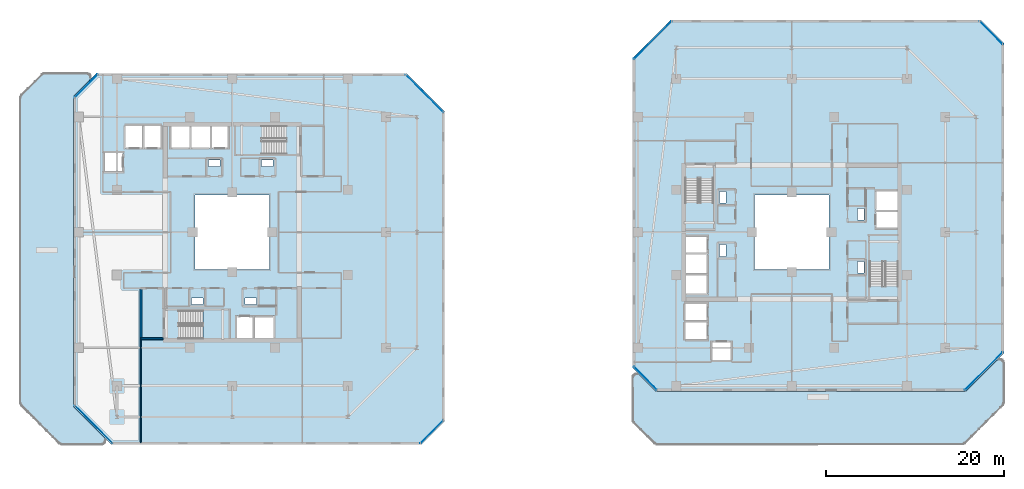
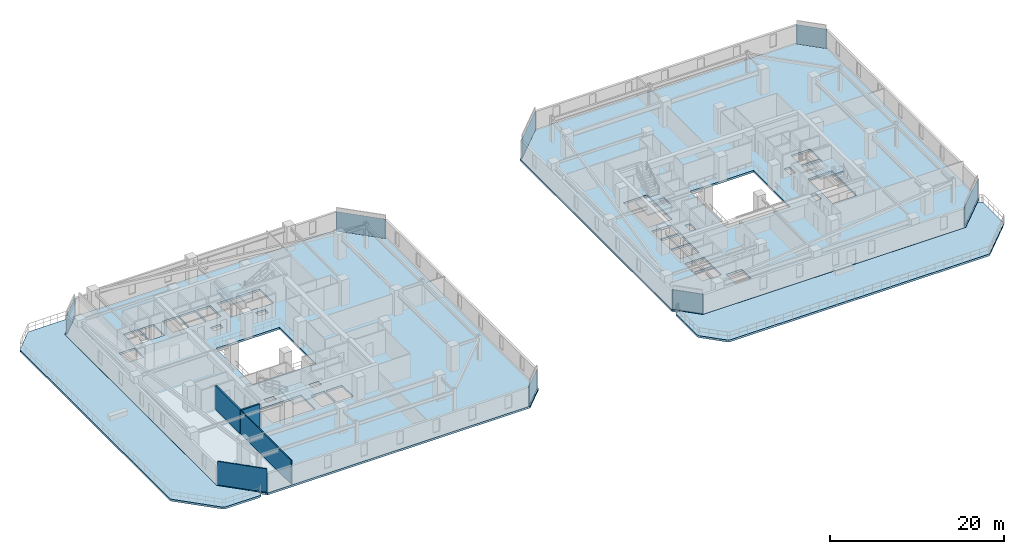
# One storey, part 17 of 30: 8 plates, 8 slabs, 4 walls, 12 elements without a shape of their own.
"""IFC4 building model written with IfcOpenShell, lengths in metres."""

from ifc_helpers import new_model, si_unit, direction, frame, frame_2d, origin, origin_2d, place, context, subcontext, project, spatial, polyline, rectangle, outline, extrude, material, layer, layer_set, type_object, element, aggregate, save


model = new_model("IFC4")

# Units and contexts
model_context = context("Model", 3, precision=1e-05, world=origin(), true_north=direction((0.0, 1.0)))
body_context = subcontext(model_context, "Body", "Model", "MODEL_VIEW")
ifc_project = project(units=[si_unit("LENGTHUNIT", "METRE"), si_unit("AREAUNIT", "SQUARE_METRE"), si_unit("VOLUMEUNIT", "CUBIC_METRE"), si_unit("PLANEANGLEUNIT", "RADIAN"), si_unit("MASSUNIT", "GRAM", prefix="KILO")], contexts=[model_context])

# Site, building, storey
site_placement = place(None, origin())
site = spatial("IfcSite", under=ifc_project, at=site_placement, CompositionType="ELEMENT")
building_placement = place(site_placement, origin())
building = spatial("IfcBuilding", under=site, at=building_placement, Name="Thornwick Lancets Civic Towers", CompositionType="ELEMENT")
storey_placement = place(building_placement, frame((0.0, 0.0, 149.10009765625)))
storey = spatial("IfcBuildingStorey", under=building, at=storey_placement, Name="L39", CompositionType="ELEMENT", Elevation=149.10009765625)

# Curtain wall, plate
ifc_material_1 = material(Name="Mid-zone chamfered-corner unitised glass curtain wall", Category="glass")
curtain_wall_type = type_object("IfcCurtainWallType", Name="CW_SYS_04", PredefinedType="NOTDEFINED", material=ifc_material_1)
curtain_wall_1_placement = place(storey_placement, origin())
curtain_wall_1 = element("IfcCurtainWall", 1, at=curtain_wall_1_placement, inside=storey, type_object=curtain_wall_type, Name="L39 Curtain Wall CW-L39-A-E1", PredefinedType="NOTDEFINED")
ifc_material_2 = material(Name="Low-e double glazing clear glass", Category="glass")
ifc_layer_1 = layer(ifc_material_2, 0.035888671875, Name="Low-e double glazing clear glass")
ifc_layer_set_1 = layer_set([ifc_layer_1], Name="Low-e double glazing clear glass")
plate_type = type_object("IfcPlateType", Name="CW_PNL_GLASS", PredefinedType="CURTAIN_PANEL", material=ifc_layer_set_1)
plate_1_placement = place(storey_placement, frame((47.972900390625, 4.527099609375, 0.0), z_axis=(0.0, 0.0, 1.0), x_axis=(0.707106781187, 0.707106781187, 0.0)))
plate_1 = element("IfcPlate", 2, at=plate_1_placement, type_object=plate_type, Name="CW-L39-A-E1 Panel 0", PredefinedType="CURTAIN_PANEL", context=body_context, shape_type="SweptSolid", body=[
    extrude(rectangle(XDim=3.649169921875, YDim=0.035888671875, at=origin_2d()), origin(), (0.0, 0.0, 1.0), 2.699951171875),
])
aggregate(curtain_wall_1, [plate_1])

curtain_wall_2_placement = place(storey_placement, origin())
curtain_wall_2 = element("IfcCurtainWall", 3, at=curtain_wall_2_placement, inside=storey, type_object=curtain_wall_type, Name="L39 Curtain Wall CW-L39-A-E3", PredefinedType="NOTDEFINED")
plate_2_placement = place(storey_placement, frame((47.142578125, 42.642578125, 0.0), z_axis=(0.0, 0.0, 1.0), x_axis=(-0.707106781187, 0.707106781187, 0.0)))
plate_2 = element("IfcPlate", 4, at=plate_2_placement, type_object=plate_type, Name="CW-L39-A-E3 Panel 0", PredefinedType="CURTAIN_PANEL", context=body_context, shape_type="SweptSolid", body=[
    extrude(rectangle(XDim=5.98291015625, YDim=0.035888671875, at=origin_2d()), origin(), (0.0, 0.0, 1.0), 2.699951171875),
])
aggregate(curtain_wall_2, [plate_2])

curtain_wall_3_placement = place(storey_placement, origin())
curtain_wall_3 = element("IfcCurtainWall", 5, at=curtain_wall_3_placement, inside=storey, type_object=curtain_wall_type, Name="L39 Curtain Wall CW-L39-A-E5", PredefinedType="NOTDEFINED")
plate_3_placement = place(storey_placement, frame((9.027099609375, 43.472900390625, 0.0), z_axis=(0.0, 0.0, 1.0), x_axis=(-0.707106781187, -0.707106781187, 0.0)))
plate_3 = element("IfcPlate", 6, at=plate_3_placement, type_object=plate_type, Name="CW-L39-A-E5 Panel 0", PredefinedType="CURTAIN_PANEL", context=body_context, shape_type="SweptSolid", body=[
    extrude(rectangle(XDim=3.649169921875, YDim=0.035888671875, at=origin_2d()), origin(), (0.0, 0.0, 1.0), 2.699951171875),
])
aggregate(curtain_wall_3, [plate_3])

curtain_wall_4_placement = place(storey_placement, origin())
curtain_wall_4 = element("IfcCurtainWall", 7, at=curtain_wall_4_placement, inside=storey, type_object=curtain_wall_type, Name="L39 Curtain Wall CW-L39-A-E7", PredefinedType="NOTDEFINED")
plate_4_placement = place(storey_placement, frame((9.857421875, 5.357421875, 0.0), z_axis=(0.0, 0.0, 1.0), x_axis=(0.707106781187, -0.707106781187, 0.0)))
plate_4 = element("IfcPlate", 8, at=plate_4_placement, type_object=plate_type, Name="CW-L39-A-E7 Panel 0", PredefinedType="CURTAIN_PANEL", context=body_context, shape_type="SweptSolid", body=[
    extrude(rectangle(XDim=5.98291015625, YDim=0.035888671875, at=origin_2d()), origin(), (0.0, 0.0, 1.0), 2.699951171875),
])
aggregate(curtain_wall_4, [plate_4])

curtain_wall_5_placement = place(storey_placement, origin())
curtain_wall_5 = element("IfcCurtainWall", 9, at=curtain_wall_5_placement, inside=storey, type_object=curtain_wall_type, Name="L39 Curtain Wall CW-L39-B-E1", PredefinedType="NOTDEFINED")
plate_5_placement = place(storey_placement, frame((110.142578125, 11.357421875, 0.0), z_axis=(0.0, 0.0, 1.0), x_axis=(0.707106781187, 0.707106781187, 0.0)))
plate_5 = element("IfcPlate", 10, at=plate_5_placement, type_object=plate_type, Name="CW-L39-B-E1 Panel 0", PredefinedType="CURTAIN_PANEL", context=body_context, shape_type="SweptSolid", body=[
    extrude(rectangle(XDim=5.98291015625, YDim=0.035888671875, at=origin_2d()), origin(), (0.0, 0.0, 1.0), 2.699951171875),
])
aggregate(curtain_wall_5, [plate_5])

curtain_wall_6_placement = place(storey_placement, origin())
curtain_wall_6 = element("IfcCurtainWall", 11, at=curtain_wall_6_placement, inside=storey, type_object=curtain_wall_type, Name="L39 Curtain Wall CW-L39-B-E3", PredefinedType="NOTDEFINED")
plate_6_placement = place(storey_placement, frame((110.972900390625, 49.472900390625, 0.0), z_axis=(0.0, 0.0, 1.0), x_axis=(-0.707106781187, 0.707106781187, 0.0)))
plate_6 = element("IfcPlate", 12, at=plate_6_placement, type_object=plate_type, Name="CW-L39-B-E3 Panel 0", PredefinedType="CURTAIN_PANEL", context=body_context, shape_type="SweptSolid", body=[
    extrude(rectangle(XDim=3.649169921875, YDim=0.035888671875, at=origin_2d()), origin(), (0.0, 0.0, 1.0), 2.699951171875),
])
aggregate(curtain_wall_6, [plate_6])

curtain_wall_7_placement = place(storey_placement, origin())
curtain_wall_7 = element("IfcCurtainWall", 13, at=curtain_wall_7_placement, inside=storey, type_object=curtain_wall_type, Name="L39 Curtain Wall CW-L39-B-E5", PredefinedType="NOTDEFINED")
plate_7_placement = place(storey_placement, frame((72.857421875, 48.642578125, 0.0), z_axis=(0.0, 0.0, 1.0), x_axis=(-0.707106781187, -0.707106781187, 0.0)))
plate_7 = element("IfcPlate", 14, at=plate_7_placement, type_object=plate_type, Name="CW-L39-B-E5 Panel 0", PredefinedType="CURTAIN_PANEL", context=body_context, shape_type="SweptSolid", body=[
    extrude(rectangle(XDim=5.98291015625, YDim=0.035888671875, at=origin_2d()), origin(), (0.0, 0.0, 1.0), 2.699951171875),
])
aggregate(curtain_wall_7, [plate_7])

curtain_wall_8_placement = place(storey_placement, origin())
curtain_wall_8 = element("IfcCurtainWall", 15, at=curtain_wall_8_placement, inside=storey, type_object=curtain_wall_type, Name="L39 Curtain Wall CW-L39-B-E7", PredefinedType="NOTDEFINED")
plate_8_placement = place(storey_placement, frame((72.027099609375, 10.527099609375, 0.0), z_axis=(0.0, 0.0, 1.0), x_axis=(0.707106781187, -0.707106781187, 0.0)))
plate_8 = element("IfcPlate", 16, at=plate_8_placement, type_object=plate_type, Name="CW-L39-B-E7 Panel 0", PredefinedType="CURTAIN_PANEL", context=body_context, shape_type="SweptSolid", body=[
    extrude(rectangle(XDim=3.649169921875, YDim=0.035888671875, at=origin_2d()), origin(), (0.0, 0.0, 1.0), 2.699951171875),
])
aggregate(curtain_wall_8, [plate_8])

# Stair, slab
ifc_material_3 = material(Name="Concrete C40/50", Category="concrete")
stair_type = type_object("IfcStairType", Name="STAIR_DL_3600", PredefinedType="HALF_TURN_STAIR", material=ifc_material_3)
stair_1_placement = place(storey_placement, origin())
stair_1 = element("IfcStair", 17, at=stair_1_placement, inside=storey, type_object=stair_type, Name="L39 Tower A South Exit Stair ST-A1", PredefinedType="HALF_TURN_STAIR")
ifc_layer_2 = layer(ifc_material_3, 0.25, Name="Concrete C40/50")
ifc_layer_set_2 = layer_set([ifc_layer_2], Name="Concrete C40/50")
slab_type_1 = type_object("IfcSlabType", Name="SLAB_LANDING_200", PredefinedType="LANDING", material=ifc_layer_set_2)
slab_1_placement = place(storey_placement, frame((0.0, 0.0, 1.602783203125)))
slab_1 = element("IfcSlab", 18, at=slab_1_placement, type_object=slab_type_1, Name="ST-A1 landing 1", PredefinedType="LANDING", context=body_context, shape_type="SweptSolid", body=[
    extrude(outline(polyline([(22.169921875, 14.93994140625), (25.14990234375, 14.93994140625), (25.14990234375, 18.260009765625), (22.169921875, 18.260009765625), (22.169921875, 14.93994140625)])), origin(), (0.0, 0.0, 1.0), 0.2001953125),
])
aggregate(stair_1, [slab_1])

stair_2_placement = place(storey_placement, origin())
stair_2 = element("IfcStair", 19, at=stair_2_placement, inside=storey, type_object=stair_type, Name="L39 Tower A North Exit Stair ST-A2", PredefinedType="HALF_TURN_STAIR")
slab_2_placement = place(storey_placement, frame((0.0, 0.0, 1.602783203125)))
slab_2 = element("IfcSlab", 20, at=slab_2_placement, type_object=slab_type_1, Name="ST-A2 landing 1", PredefinedType="LANDING", context=body_context, shape_type="SweptSolid", body=[
    extrude(outline(polyline([(28.830078125, 39.06005859375), (25.85009765625, 39.06005859375), (25.85009765625, 35.739990234375), (28.830078125, 35.739990234375), (28.830078125, 39.06005859375)])), origin(), (0.0, 0.0, 1.0), 0.2001953125),
])
aggregate(stair_2, [slab_2])

stair_3_placement = place(storey_placement, origin())
stair_3 = element("IfcStair", 21, at=stair_3_placement, inside=storey, type_object=stair_type, Name="L39 Tower B East Exit Stair ST-B1", PredefinedType="HALF_TURN_STAIR")
slab_3_placement = place(storey_placement, frame((0.0, 0.0, 1.602783203125)))
slab_3 = element("IfcSlab", 22, at=slab_3_placement, type_object=slab_type_1, Name="ST-B1 landing 1", PredefinedType="LANDING", context=body_context, shape_type="SweptSolid", body=[
    extrude(outline(polyline([(100.56005859375, 23.669921875), (100.56005859375, 26.64990234375), (97.239990234375, 26.64990234375), (97.239990234375, 23.669921875), (100.56005859375, 23.669921875)])), origin(), (0.0, 0.0, 1.0), 0.2001953125),
])
aggregate(stair_3, [slab_3])

stair_4_placement = place(storey_placement, origin())
stair_4 = element("IfcStair", 23, at=stair_4_placement, inside=storey, type_object=stair_type, Name="L39 Tower B West Exit Stair ST-B2", PredefinedType="HALF_TURN_STAIR")
slab_4_placement = place(storey_placement, frame((0.0, 0.0, 1.602783203125)))
slab_4 = element("IfcSlab", 24, at=slab_4_placement, type_object=slab_type_1, Name="ST-B2 landing 1", PredefinedType="LANDING", context=body_context, shape_type="SweptSolid", body=[
    extrude(outline(polyline([(76.43994140625, 30.330078125), (76.43994140625, 27.35009765625), (79.760009765625, 27.35009765625), (79.760009765625, 30.330078125), (76.43994140625, 30.330078125)])), origin(), (0.0, 0.0, 1.0), 0.2001953125),
])
aggregate(stair_4, [slab_4])

# Slabs
ifc_material_4 = material(Name="Post-tensioned concrete C40/50", Category="concrete")
ifc_layer_3 = layer(ifc_material_4, 0.280029296875, Name="Post-tensioned concrete C40/50")
ifc_layer_set_3 = layer_set([ifc_layer_3], Name="Post-tensioned concrete C40/50")
slab_type_2 = type_object("IfcSlabType", Name="SLAB_PT_280", PredefinedType="FLOOR", material=ifc_layer_set_3)
slab_5_placement = place(storey_placement, frame((0.0, 0.0, -0.280029296875)))
element("IfcSlab", 25, at=slab_5_placement, inside=storey, type_object=slab_type_2, Name="L39 Tower A Floor Slab", PredefinedType="FLOOR", context=body_context, shape_type="SweptSolid", body=[
    extrude(outline(polyline([(11.862060546875, 3.10009765625), (46.800048828125, 3.10009765625), (49.39990234375, 5.699951171875), (49.39990234375, 40.637939453125), (45.137939453125, 44.89990234375), (10.199951171875, 44.89990234375), (7.60009765625, 42.300048828125), (7.60009765625, 7.362060546875), (11.862060546875, 3.10009765625)]), holes=[polyline([(21.300048828125, 22.800048828125), (29.699951171875, 22.800048828125), (29.699951171875, 31.199951171875), (21.300048828125, 31.199951171875), (21.300048828125, 22.800048828125)]), polyline([(19.429931640625, 15.0), (25.10009765625, 15.0), (25.10009765625, 18.199951171875), (19.429931640625, 18.199951171875), (19.429931640625, 15.0)]), polyline([(31.570068359375, 39.0), (25.89990234375, 39.0), (25.89990234375, 35.800048828125), (31.570068359375, 35.800048828125), (31.570068359375, 39.0)]), polyline([(26.0, 15.0), (27.800048828125, 15.0), (27.800048828125, 17.550048828125), (26.0, 17.550048828125), (26.0, 15.0)]), polyline([(28.0, 15.0), (30.14990234375, 15.0), (30.14990234375, 17.550048828125), (28.0, 17.550048828125), (28.0, 15.0)]), polyline([(23.199951171875, 36.449951171875), (25.0, 36.449951171875), (25.0, 39.0), (23.199951171875, 39.0), (23.199951171875, 36.449951171875)]), polyline([(20.85009765625, 36.449951171875), (23.0, 36.449951171875), (23.0, 39.0), (20.85009765625, 39.0), (20.85009765625, 36.449951171875)]), polyline([(18.60009765625, 36.449951171875), (20.699951171875, 36.449951171875), (20.699951171875, 39.0), (18.60009765625, 39.0), (18.60009765625, 36.449951171875)]), polyline([(15.550048828125, 36.449951171875), (17.449951171875, 36.449951171875), (17.449951171875, 39.0), (15.550048828125, 39.0), (15.550048828125, 36.449951171875)]), polyline([(13.449951171875, 36.449951171875), (15.39990234375, 36.449951171875), (15.39990234375, 39.0), (13.449951171875, 39.0), (13.449951171875, 36.449951171875)]), polyline([(11.10009765625, 33.85009765625), (13.199951171875, 33.85009765625), (13.199951171875, 35.949951171875), (11.10009765625, 35.949951171875), (11.10009765625, 33.85009765625)]), polyline([(26.89990234375, 18.85009765625), (28.199951171875, 18.85009765625), (28.199951171875, 19.580078125), (26.89990234375, 19.580078125), (26.89990234375, 18.85009765625)]), polyline([(20.89990234375, 18.85009765625), (22.199951171875, 18.85009765625), (22.199951171875, 19.580078125), (20.89990234375, 19.580078125), (20.89990234375, 18.85009765625)]), polyline([(22.800048828125, 34.419921875), (24.10009765625, 34.419921875), (24.10009765625, 35.14990234375), (22.800048828125, 35.14990234375), (22.800048828125, 34.419921875)]), polyline([(28.800048828125, 34.419921875), (30.10009765625, 34.419921875), (30.10009765625, 35.14990234375), (28.800048828125, 35.14990234375), (28.800048828125, 34.419921875)])]), origin(), (0.0, 0.0, 1.0), 0.280029296875),
])
slab_6_placement = place(storey_placement, frame((0.0, 0.0, -0.280029296875)))
element("IfcSlab", 26, at=slab_6_placement, inside=storey, type_object=slab_type_2, Name="L39 Tower A Cantilevered Block Sky-Garden Terrace 1", PredefinedType="FLOOR", context=body_context, shape_type="SweptSolid", body=[
    extrude(outline(polyline([(6.2802734375, 3.102294921875), (6.236572265625, 3.108642578125), (6.19384765625, 3.119384765625), (6.152099609375, 3.13427734375), (6.1123046875, 3.153076171875), (6.074462890625, 3.17578125), (6.038818359375, 3.2021484375), (6.006103515625, 3.231689453125), (1.731689453125, 7.506103515625), (1.7021484375, 7.538818359375), (1.67578125, 7.574462890625), (1.653076171875, 7.6123046875), (1.63427734375, 7.652099609375), (1.619384765625, 7.69384765625), (1.608642578125, 7.736572265625), (1.602294921875, 7.7802734375), (1.60009765625, 7.824462890625), (1.60009765625, 42.113525390625), (1.602294921875, 42.15771484375), (1.608642578125, 42.201416015625), (1.619384765625, 42.244140625), (1.63427734375, 42.285888671875), (1.653076171875, 42.32568359375), (1.67578125, 42.363525390625), (1.7021484375, 42.399169921875), (1.731689453125, 42.431884765625), (4.068115234375, 44.768310546875), (4.100830078125, 44.7978515625), (4.136474609375, 44.82421875), (4.17431640625, 44.846923828125), (4.214111328125, 44.86572265625), (4.255859375, 44.880615234375), (4.298583984375, 44.891357421875), (4.34228515625, 44.897705078125), (4.386474609375, 44.89990234375), (9.085205078125, 44.89990234375), (9.12939453125, 44.897705078125), (9.173095703125, 44.891357421875), (9.2158203125, 44.880615234375), (9.257568359375, 44.86572265625), (9.29736328125, 44.846923828125), (9.335205078125, 44.82421875), (9.370849609375, 44.7978515625), (9.403564453125, 44.768310546875), (9.43310546875, 44.735595703125), (9.45947265625, 44.699951171875), (9.482177734375, 44.662109375), (9.501220703125, 44.622314453125), (9.515869140625, 44.58056640625), (9.526611328125, 44.537841796875), (9.533203125, 44.494140625), (9.535400390625, 44.449951171875), (9.533203125, 44.406005859375), (9.526611328125, 44.3623046875), (9.515869140625, 44.3193359375), (9.501220703125, 44.27783203125), (9.482177734375, 44.23779296875), (9.45947265625, 44.199951171875), (9.43310546875, 44.16455078125), (9.403564453125, 44.1318359375), (9.10400390625, 43.832275390625), (7.58984375, 42.318115234375), (7.5859375, 42.314208984375), (7.58447265625, 42.312744140625), (7.58349609375, 42.31103515625), (7.58251953125, 42.309326171875), (7.58154296875, 42.3076171875), (7.580810546875, 42.305908203125), (7.580322265625, 42.303955078125), (7.580078125, 42.302001953125), (7.580078125, 42.300048828125), (7.580078125, 42.2939453125), (7.580078125, 7.367431640625), (7.580078125, 7.362060546875), (7.580078125, 7.360107421875), (7.580322265625, 7.358154296875), (7.580810546875, 7.356201171875), (7.58154296875, 7.354248046875), (7.58251953125, 7.3525390625), (7.58349609375, 7.350830078125), (7.58447265625, 7.349365234375), (7.5859375, 7.347900390625), (7.590087890625, 7.343505859375), (11.0654296875, 3.8681640625), (11.09521484375, 3.83544921875), (11.12158203125, 3.800048828125), (11.144287109375, 3.76220703125), (11.1630859375, 3.72216796875), (11.177978515625, 3.6806640625), (11.188720703125, 3.6376953125), (11.1953125, 3.593994140625), (11.197265625, 3.550048828125), (11.1953125, 3.505859375), (11.188720703125, 3.462158203125), (11.177978515625, 3.41943359375), (11.1630859375, 3.377685546875), (11.144287109375, 3.337890625), (11.12158203125, 3.300048828125), (11.09521484375, 3.264404296875), (11.0654296875, 3.231689453125), (11.03271484375, 3.2021484375), (10.997314453125, 3.17578125), (10.95947265625, 3.153076171875), (10.91943359375, 3.13427734375), (10.8779296875, 3.119384765625), (10.835205078125, 3.108642578125), (10.79150390625, 3.102294921875), (10.747314453125, 3.10009765625), (6.324462890625, 3.10009765625), (6.2802734375, 3.102294921875)])), origin(), (0.0, 0.0, 1.0), 0.280029296875),
])
slab_7_placement = place(storey_placement, frame((0.0, 0.0, -0.280029296875)))
element("IfcSlab", 27, at=slab_7_placement, inside=storey, type_object=slab_type_2, Name="L39 Tower B Floor Slab", PredefinedType="FLOOR", context=body_context, shape_type="SweptSolid", body=[
    extrude(outline(polyline([(73.199951171875, 9.10009765625), (108.137939453125, 9.10009765625), (112.39990234375, 13.362060546875), (112.39990234375, 48.300048828125), (109.800048828125, 50.89990234375), (74.862060546875, 50.89990234375), (70.60009765625, 46.637939453125), (70.60009765625, 11.699951171875), (73.199951171875, 9.10009765625)]), holes=[polyline([(84.300048828125, 22.800048828125), (92.699951171875, 22.800048828125), (92.699951171875, 31.199951171875), (84.300048828125, 31.199951171875), (84.300048828125, 22.800048828125)]), polyline([(100.5, 20.929931640625), (100.5, 26.60009765625), (97.300048828125, 26.60009765625), (97.300048828125, 20.929931640625), (100.5, 20.929931640625)]), polyline([(76.5, 33.070068359375), (76.5, 27.39990234375), (79.699951171875, 27.39990234375), (79.699951171875, 33.070068359375), (76.5, 33.070068359375)]), polyline([(97.949951171875, 27.5), (100.5, 27.5), (100.5, 29.300048828125), (97.949951171875, 29.300048828125), (97.949951171875, 27.5)]), polyline([(97.949951171875, 29.5), (100.5, 29.5), (100.5, 31.64990234375), (97.949951171875, 31.64990234375), (97.949951171875, 29.5)]), polyline([(76.5, 24.699951171875), (79.050048828125, 24.699951171875), (79.050048828125, 26.5), (76.5, 26.5), (76.5, 24.699951171875)]), polyline([(76.5, 22.35009765625), (79.050048828125, 22.35009765625), (79.050048828125, 24.5), (76.5, 24.5), (76.5, 22.35009765625)]), polyline([(76.5, 20.10009765625), (79.050048828125, 20.10009765625), (79.050048828125, 22.199951171875), (76.5, 22.199951171875), (76.5, 20.10009765625)]), polyline([(76.5, 17.050048828125), (79.050048828125, 17.050048828125), (79.050048828125, 18.949951171875), (76.5, 18.949951171875), (76.5, 17.050048828125)]), polyline([(76.5, 14.949951171875), (79.050048828125, 14.949951171875), (79.050048828125, 16.89990234375), (76.5, 16.89990234375), (76.5, 14.949951171875)]), polyline([(79.550048828125, 12.60009765625), (81.64990234375, 12.60009765625), (81.64990234375, 14.699951171875), (79.550048828125, 14.699951171875), (79.550048828125, 12.60009765625)]), polyline([(95.919921875, 28.39990234375), (96.64990234375, 28.39990234375), (96.64990234375, 29.699951171875), (95.919921875, 29.699951171875), (95.919921875, 28.39990234375)]), polyline([(95.919921875, 22.39990234375), (96.64990234375, 22.39990234375), (96.64990234375, 23.699951171875), (95.919921875, 23.699951171875), (95.919921875, 22.39990234375)]), polyline([(80.35009765625, 24.300048828125), (81.080078125, 24.300048828125), (81.080078125, 25.60009765625), (80.35009765625, 25.60009765625), (80.35009765625, 24.300048828125)]), polyline([(80.35009765625, 30.300048828125), (81.080078125, 30.300048828125), (81.080078125, 31.60009765625), (80.35009765625, 31.60009765625), (80.35009765625, 30.300048828125)])]), origin(), (0.0, 0.0, 1.0), 0.280029296875),
])
slab_8_placement = place(storey_placement, frame((0.0, 0.0, -0.280029296875)))
element("IfcSlab", 28, at=slab_8_placement, inside=storey, type_object=slab_type_2, Name="L39 Tower B Cantilevered Block Sky-Garden Terrace 1", PredefinedType="FLOOR", context=body_context, shape_type="SweptSolid", body=[
    extrude(outline(polyline([(112.397705078125, 7.7802734375), (112.391357421875, 7.736572265625), (112.380615234375, 7.69384765625), (112.36572265625, 7.652099609375), (112.346923828125, 7.6123046875), (112.32421875, 7.574462890625), (112.2978515625, 7.538818359375), (112.268310546875, 7.506103515625), (112.01904296875, 7.257080078125), (107.993896484375, 3.231689453125), (107.961181640625, 3.2021484375), (107.925537109375, 3.17578125), (107.8876953125, 3.153076171875), (107.847900390625, 3.13427734375), (107.80615234375, 3.119384765625), (107.763427734375, 3.108642578125), (107.7197265625, 3.102294921875), (107.675537109375, 3.10009765625), (73.386474609375, 3.10009765625), (73.34228515625, 3.102294921875), (73.298583984375, 3.108642578125), (73.255859375, 3.119384765625), (73.214111328125, 3.13427734375), (73.17431640625, 3.153076171875), (73.136474609375, 3.17578125), (73.100830078125, 3.2021484375), (73.068115234375, 3.231689453125), (70.906005859375, 5.39404296875), (70.731689453125, 5.568115234375), (70.7021484375, 5.600830078125), (70.67578125, 5.636474609375), (70.653076171875, 5.67431640625), (70.63427734375, 5.714111328125), (70.619384765625, 5.755859375), (70.608642578125, 5.798583984375), (70.602294921875, 5.84228515625), (70.60009765625, 5.886474609375), (70.60009765625, 10.585205078125), (70.602294921875, 10.62939453125), (70.608642578125, 10.673095703125), (70.619384765625, 10.7158203125), (70.63427734375, 10.757568359375), (70.653076171875, 10.79736328125), (70.67578125, 10.835205078125), (70.7021484375, 10.870849609375), (70.731689453125, 10.903564453125), (70.764404296875, 10.93310546875), (70.800048828125, 10.95947265625), (70.837890625, 10.982177734375), (70.877685546875, 11.001220703125), (70.91943359375, 11.015869140625), (70.962158203125, 11.026611328125), (71.005859375, 11.033203125), (71.050048828125, 11.035400390625), (71.093994140625, 11.033203125), (71.1376953125, 11.026611328125), (71.1806640625, 11.015869140625), (71.22216796875, 11.001220703125), (71.26220703125, 10.982177734375), (71.300048828125, 10.95947265625), (71.33544921875, 10.93310546875), (71.3681640625, 10.903564453125), (71.72119140625, 10.55029296875), (73.185791015625, 9.0859375), (73.187255859375, 9.08447265625), (73.18896484375, 9.08349609375), (73.190673828125, 9.08251953125), (73.1923828125, 9.08154296875), (73.194091796875, 9.080810546875), (73.196044921875, 9.080322265625), (73.197998046875, 9.080078125), (73.199951171875, 9.080078125), (73.2060546875, 9.080078125), (108.132568359375, 9.080078125), (108.137939453125, 9.080078125), (108.139892578125, 9.080078125), (108.141845703125, 9.080322265625), (108.143798828125, 9.080810546875), (108.145751953125, 9.08154296875), (108.1474609375, 9.08251953125), (108.149169921875, 9.08349609375), (108.150634765625, 9.08447265625), (108.152099609375, 9.0859375), (111.6318359375, 12.5654296875), (111.66455078125, 12.59521484375), (111.699951171875, 12.62158203125), (111.73779296875, 12.644287109375), (111.77783203125, 12.6630859375), (111.8193359375, 12.677978515625), (111.8623046875, 12.688720703125), (111.906005859375, 12.6953125), (111.949951171875, 12.697265625), (111.994140625, 12.6953125), (112.037841796875, 12.688720703125), (112.08056640625, 12.677978515625), (112.122314453125, 12.6630859375), (112.162109375, 12.644287109375), (112.199951171875, 12.62158203125), (112.235595703125, 12.59521484375), (112.268310546875, 12.5654296875), (112.2978515625, 12.53271484375), (112.32421875, 12.497314453125), (112.346923828125, 12.45947265625), (112.36572265625, 12.41943359375), (112.380615234375, 12.3779296875), (112.391357421875, 12.335205078125), (112.397705078125, 12.29150390625), (112.39990234375, 12.247314453125), (112.39990234375, 7.824462890625), (112.397705078125, 7.7802734375)])), origin(), (0.0, 0.0, 1.0), 0.280029296875),
])

# Walls
ifc_material_5 = material(Name="Concrete blockwork C40/50", Category="masonry")
ifc_layer_4 = layer(ifc_material_5, 0.199951171875, Name="Concrete blockwork C40/50")
ifc_layer_set_4 = layer_set([ifc_layer_4], Name="Concrete blockwork C40/50")
wall_type_1 = type_object("IfcWallType", Name="WALL_COMP_200", PredefinedType="STANDARD", material=ifc_layer_set_4)
wall_1_placement = place(storey_placement, frame((15.199951171875, 15.0, 0.0), z_axis=(0.0, 0.0, 1.0), x_axis=(1.0, 0.0, 0.0)))
element("IfcWall", 29, at=wall_1_placement, inside=storey, type_object=wall_type_1, Name="L39 Partition L39-A-FFLOB1 E1", PredefinedType="STANDARD", context=body_context, shape_type="SweptSolid", body=[
    extrude(rectangle(XDim=2.5, YDim=0.199951171875, at=frame_2d((1.25, 0.0))), origin(), (0.0, 0.0, 1.0), 3.2998046875),
])
wall_2_placement = place(storey_placement, frame((15.199951171875, 20.699951171875, 0.0), z_axis=(0.0, 0.0, 1.0), x_axis=(0.0, -1.0, 0.0)))
element("IfcWall", 30, at=wall_2_placement, inside=storey, type_object=wall_type_1, Name="L39 Partition L39-A-FFLOB1 E4", PredefinedType="STANDARD", context=body_context, shape_type="SweptSolid", body=[
    extrude(rectangle(XDim=5.699951171875, YDim=0.199951171875, at=frame_2d((2.85009765625, 0.0))), origin(), (0.0, 0.0, 1.0), 3.2998046875),
])
ifc_material_6 = material(Name="Acoustic gypsum board partition")
ifc_layer_5 = layer(ifc_material_6, 0.1201171875, Name="Acoustic gypsum board partition")
ifc_layer_set_5 = layer_set([ifc_layer_5], Name="Acoustic gypsum board partition")
wall_type_2 = type_object("IfcWallType", Name="WALL_PART_120", PredefinedType="PARTITIONING", material=ifc_layer_set_5)
wall_3_placement = place(storey_placement, frame((15.199951171875, 15.0, 0.0), z_axis=(0.0, 0.0, 1.0), x_axis=(0.0, -1.0, 0.0)))
element("IfcWall", 31, at=wall_3_placement, inside=storey, type_object=wall_type_2, Name="L39 Partition L39-A-W1 E6", PredefinedType="PARTITIONING", context=body_context, shape_type="SweptSolid", body=[
    extrude(rectangle(XDim=11.719970703125, YDim=0.1201171875, at=frame_2d((5.85986328125, 0.0))), origin(), (0.0, 0.0, 1.0), 3.2998046875),
])
wall_4_placement = place(storey_placement, frame((11.9365234375, 3.280029296875, 0.0), z_axis=(0.0, 0.0, 1.0), x_axis=(-0.707106781187, 0.707106781187, 0.0)))
element("IfcWall", 32, at=wall_4_placement, inside=storey, type_object=wall_type_2, Name="L39 Partition L39-A-W1 E8", PredefinedType="PARTITIONING", context=body_context, shape_type="SweptSolid", body=[
    extrude(rectangle(XDim=5.878173828125, YDim=0.1201171875, at=frame_2d((2.93896484375, 0.0))), origin(), (0.0, 0.0, 1.0), 3.2998046875),
])

save(model, "model.ifc")
